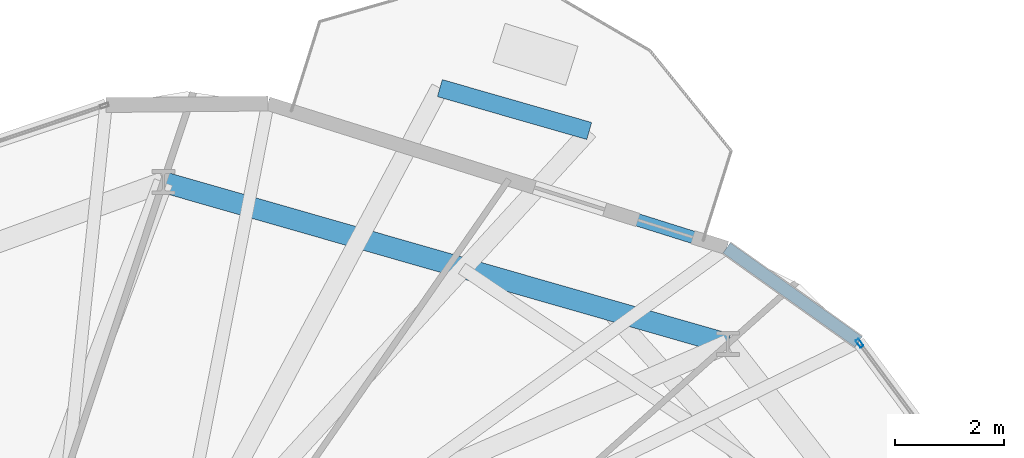
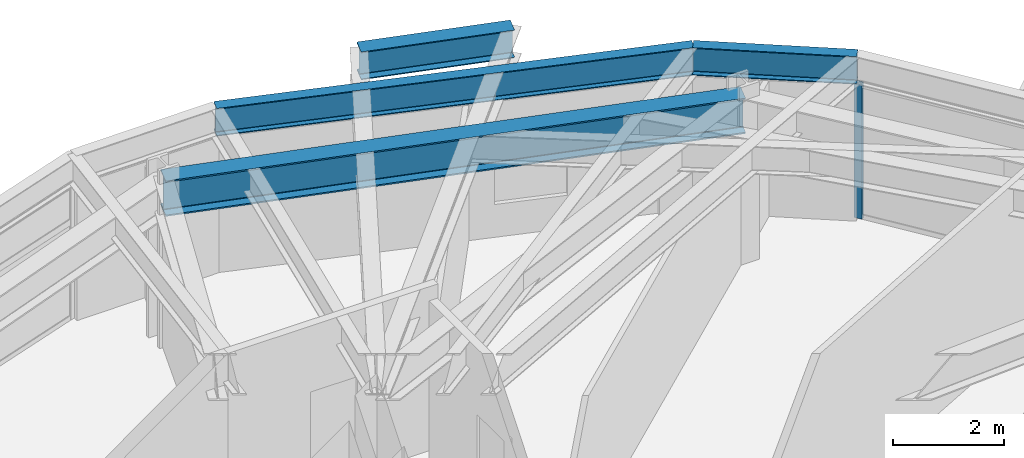
# One storey, part 19 of 27: 4 beams, 1 member, 1 element without a shape of its own.
"""IFC4 building model written with IfcOpenShell, lengths in metres."""

import ifcopenshell
import ifcopenshell.guid

model = None  # the IFC model being written
_history = None  # IfcOwnerHistory: only IFC2X3 demands one
_inside = {}  # id of a spatial element -> (the spatial element, [elements in it])
_under = {}  # id of a project, library or spatial element -> (it, [spatial elements below it])
_declared = {}  # id of a project -> (the project, [libraries it declares])
_typed = {}  # id of a type object -> (the type object, [elements of that type])
_made_of = {}  # id of a material, layer set ... -> (it, [elements and type objects made of it])


def new_model(schema):
    """Start an empty IFC model of exactly this schema.

    Asked for "IFC4X3", IfcOpenShell would pick the latest addendum, in which some entities
    have other attributes; the version numbers below select the first issue.
    IFC2X3 requires an IfcOwnerHistory on every rooted entity: one is made here for all.
    """
    global model, _history
    if schema == "IFC4X3":
        model = ifcopenshell.file(schema_version=(4, 3, 0, 0))
    else:
        model = ifcopenshell.file(schema=schema)
    _inside.clear()
    _under.clear()
    _declared.clear()
    _typed.clear()
    _made_of.clear()
    _history = None
    if model.schema == "IFC2X3":
        org = make("IfcOrganization", Name="unknown")
        user = make(
            "IfcPersonAndOrganization",
            ThePerson=make("IfcPerson", FamilyName="unknown"),
            TheOrganization=org,
        )
        app = make(
            "IfcApplication",
            ApplicationDeveloper=org,
            Version="unknown",
            ApplicationFullName="unknown",
            ApplicationIdentifier="unknown",
        )
        _history = make(
            "IfcOwnerHistory",
            OwningUser=user,
            OwningApplication=app,
            ChangeAction="ADDED",
            CreationDate=0,
        )
    return model


def make(cls, **values):
    """One entity of the class cls with the attributes given. An attribute that is None is left unset."""
    return model.create_entity(
        cls, **{name: value for name, value in values.items() if value is not None}
    )


def rooted(cls, **values):
    """An entity with a GlobalId (a new one), such as an element, a storey or a relation."""
    return make(cls, GlobalId=ifcopenshell.guid.new(), OwnerHistory=_history, **values)


def si_unit(unit_type, name, prefix=None):
    """IfcSIUnit, for example si_unit("LENGTHUNIT", "METRE", prefix="MILLI")."""
    return make("IfcSIUnit", UnitType=unit_type, Prefix=prefix, Name=name)


def assignment(units):
    """IfcUnitAssignment: the units of a project."""
    return None if units is None else make("IfcUnitAssignment", Units=units)


def point(xyz):
    """IfcCartesianPoint."""
    return None if xyz is None else make("IfcCartesianPoint", Coordinates=xyz)


def direction(xyz):
    """IfcDirection."""
    return None if xyz is None else make("IfcDirection", DirectionRatios=xyz)


def frame(location, z_axis=None, x_axis=None):
    """IfcAxis2Placement3D, a coordinate frame: its origin and axes. An axis left out is left unset."""
    return make(
        "IfcAxis2Placement3D",
        Location=point(location),
        Axis=direction(z_axis),
        RefDirection=direction(x_axis),
    )


def frame_2d(location, x_axis=None):
    """IfcAxis2Placement2D, a coordinate frame in the plane: its origin and x axis."""
    return make(
        "IfcAxis2Placement2D", Location=point(location), RefDirection=direction(x_axis)
    )


def origin():
    """The frame at (0, 0, 0) with its axes left unset."""
    return frame((0.0, 0.0, 0.0))


def origin_2d():
    """The frame at (0, 0) in the plane with its x axis left unset."""
    return frame_2d((0.0, 0.0))


def place(relative_to, where):
    """IfcLocalPlacement: puts the frame where relative to a parent placement (None: the world)."""
    return make(
        "IfcLocalPlacement", PlacementRelTo=relative_to, RelativePlacement=where
    )


def context(
    kind, dimensions, precision=None, world=None, true_north=None, identifier=None
):
    """IfcGeometricRepresentationContext, for example the 3D "Model" context."""
    return make(
        "IfcGeometricRepresentationContext",
        ContextIdentifier=identifier,
        ContextType=kind,
        CoordinateSpaceDimension=dimensions,
        Precision=precision,
        WorldCoordinateSystem=world,
        TrueNorth=true_north,
    )


def subcontext(parent, identifier, kind, view, scale=None):
    """IfcGeometricRepresentationSubContext, for example "Body" below "Model"."""
    return make(
        "IfcGeometricRepresentationSubContext",
        ContextIdentifier=identifier,
        ContextType=kind,
        ParentContext=parent,
        TargetScale=scale,
        TargetView=view,
    )


def project(units=None, contexts=None):
    """IfcProject with its units and contexts."""
    return rooted(
        "IfcProject",
        Name="project",
        RepresentationContexts=contexts,
        UnitsInContext=assignment(units),
    )


def spatial(cls, under=None, at=None, **own):
    """A site, building, storey or space (cls), placed at a placement, below another one or the project."""
    s = rooted(cls, ObjectPlacement=at, **own)
    if under is not None:
        _under.setdefault(under.id(), (under, []))[1].append(s)
    return s


def profile(cls, at=None, kind="AREA", **sizes):
    """A parametric profile (cls). Its sizes go by their IFC names, for example OverallWidth=200.0."""
    return make(cls, ProfileType=kind, Position=at, **sizes)


def hollow_rectangle(**sizes):
    """IfcRectangleHollowProfileDef."""
    return profile("IfcRectangleHollowProfileDef", **sizes)


def i_section(**sizes):
    """IfcIShapeProfileDef."""
    return profile("IfcIShapeProfileDef", **sizes)


def extrude(swept, where, along, depth):
    """IfcExtrudedAreaSolid: the profile swept, set in the frame where, extruded along a direction by depth."""
    return make(
        "IfcExtrudedAreaSolid",
        SweptArea=swept,
        Position=where,
        ExtrudedDirection=direction(along),
        Depth=depth,
    )


def shape(context_of_items, identifier, shape_type, items):
    """IfcShapeRepresentation: the items that make up one representation, for example the "Body"."""
    return make(
        "IfcShapeRepresentation",
        ContextOfItems=context_of_items,
        RepresentationIdentifier=identifier,
        RepresentationType=shape_type,
        Items=items,
    )


def material(Name=None, Category=None):
    """IfcMaterial."""
    return make("IfcMaterial", Name=Name, Category=Category)


def layer(
    of_material, thickness, ventilated=None, Name=None, Category=None, Priority=None
):
    """IfcMaterialLayer: one layer of a wall or slab, of a material (None: an air gap)."""
    return make(
        "IfcMaterialLayer",
        Material=of_material,
        LayerThickness=thickness,
        IsVentilated=ventilated,
        Name=Name,
        Category=Category,
        Priority=Priority,
    )


def layer_set(layers, Name=None):
    """IfcMaterialLayerSet."""
    return make("IfcMaterialLayerSet", MaterialLayers=layers, LayerSetName=Name)


def material_profile(
    of_material, cross_section, Name=None, Category=None, Priority=None
):
    """IfcMaterialProfile: a cross section and its material."""
    return make(
        "IfcMaterialProfile",
        Name=Name,
        Material=of_material,
        Profile=cross_section,
        Priority=Priority,
        Category=Category,
    )


def profile_set(profiles, Name=None, composite=None):
    """IfcMaterialProfileSet."""
    return make(
        "IfcMaterialProfileSet",
        Name=Name,
        MaterialProfiles=profiles,
        CompositeProfile=composite,
    )


def made_of(thing, what):
    """Note that an element or type object is made of a material, layer set ...; save() writes the relation."""
    if what is not None:
        _made_of.setdefault(what.id(), (what, []))[1].append(thing)
    return thing


def type_object(cls, material=None, **own):
    """A type object (cls), such as IfcWallType, which elements share."""
    return made_of(rooted(cls, **own), material)


def element(
    cls,
    number,
    at=None,
    inside=None,
    cuts=None,
    type_object=None,
    material=None,
    context=None,
    identifier="Body",
    shape_type=None,
    held_by="IfcProductDefinitionShape",
    body=None,
    shapes=None,
    **own,
):
    """One element of the class cls, such as IfcWall. Its Tag is "e" and its number.

    at: its placement. inside: the storey or other place that contains it. cuts: it is an
    opening in that element (IfcRelVoidsElement). A single representation is given by context,
    identifier, shape_type and body (its items); several are given by shapes. held_by: the class
    of the entity that holds the representations. save() writes the other relations.
    """
    e = rooted(cls, Tag="e%d" % number, ObjectPlacement=at, **own)
    if body is not None:
        shapes = [shape(context, identifier, shape_type, body)]
    if shapes is not None:
        e.Representation = make(held_by, Representations=shapes)
    if inside is not None:
        _inside.setdefault(inside.id(), (inside, []))[1].append(e)
    if cuts is not None:
        rooted(
            "IfcRelVoidsElement", RelatingBuildingElement=cuts, RelatedOpeningElement=e
        )
    if type_object is not None:
        _typed.setdefault(type_object.id(), (type_object, []))[1].append(e)
    return made_of(e, material)


def aggregate(whole, parts):
    """IfcRelAggregates: a whole, such as a stair, and the parts it consists of."""
    return rooted("IfcRelAggregates", RelatingObject=whole, RelatedObjects=parts)


def save(model, path):
    """Write the relations noted so far, then the file.

    IfcRelAggregates (storeys below a building ...), IfcRelContainedInSpatialStructure (elements
    in a storey), IfcRelDefinesByType, IfcRelAssociatesMaterial and IfcRelDeclares: one each for
    every whole, place, type object, material and project.
    """
    for whole, parts in _under.values():
        aggregate(whole, parts)
    for where, things in _inside.values():
        rooted(
            "IfcRelContainedInSpatialStructure",
            RelatedElements=things,
            RelatingStructure=where,
        )
    for kind, things in _typed.values():
        rooted("IfcRelDefinesByType", RelatedObjects=things, RelatingType=kind)
    for what, things in _made_of.values():
        rooted("IfcRelAssociatesMaterial", RelatedObjects=things, RelatingMaterial=what)
    for by, libraries in _declared.values():
        rooted("IfcRelDeclares", RelatingContext=by, RelatedDefinitions=libraries)
    model.write(path)


model = new_model("IFC4")

# Units and contexts
model_context = context("Model", 3, precision=1e-05, world=origin(), true_north=direction((0.0, 1.0)))
body_context = subcontext(model_context, "Body", "Model", "MODEL_VIEW")
ifc_project = project(units=[si_unit("LENGTHUNIT", "METRE"), si_unit("AREAUNIT", "SQUARE_METRE"), si_unit("VOLUMEUNIT", "CUBIC_METRE"), si_unit("PLANEANGLEUNIT", "RADIAN"), si_unit("MASSUNIT", "GRAM", prefix="KILO")], contexts=[model_context])

# Site, building, storey
site_placement = place(None, origin())
site = spatial("IfcSite", under=ifc_project, at=site_placement, CompositionType="ELEMENT")
building_placement = place(site_placement, origin())
building = spatial("IfcBuilding", under=site, at=building_placement, Name="Soratama Intermodal Tower", CompositionType="ELEMENT")
storey_placement = place(building_placement, frame((0.0, 0.0, 103.0)))
storey = spatial("IfcBuildingStorey", under=building, at=storey_placement, Name="L24", CompositionType="ELEMENT", Elevation=103.0)

# Beams
ifc_material_1 = material(Name="Structural steel ASTM A992 Grade 50", Category="steel")
ifc_material_profile_1 = material_profile(ifc_material_1, i_section(OverallWidth=0.324951171875, OverallDepth=0.615966796875, WebThickness=0.013916015625, FlangeThickness=0.021484375, FilletRadius=0.013916015625, at=origin_2d()), Name="W24X117")
ifc_profile_set_1 = profile_set([ifc_material_profile_1], Name="Structural steel ASTM A992 Grade 50")
beam_type_1 = type_object("IfcBeamType", Name="BM-CANT-W24X117", PredefinedType="BEAM", material=ifc_profile_set_1)
beam_1_placement = place(storey_placement, frame((52.19091796875, 43.325927734375, 3.2919921875), z_axis=(-0.961199599338, 0.275853820406, 0.0), x_axis=(-0.275853820406, -0.961199599338, 0.0)))
element("IfcBeam", 1, at=beam_1_placement, inside=storey, type_object=beam_type_1, Name="BM-L24-CBHDR-2", PredefinedType="BEAM", context=body_context, shape_type="SweptSolid", body=[
    extrude(i_section(OverallWidth=0.324951171875, OverallDepth=0.615966796875, WebThickness=0.013916015625, FlangeThickness=0.021484375, FilletRadius=0.013916015625, at=origin_2d()), origin(), (0.0, 0.0, 1.0), 2.84619140625),
])
ifc_material_2 = material(Name="Structural steel ASTM A992 Grade 50", Category="steel")
ifc_material_profile_2 = material_profile(ifc_material_2, i_section(OverallWidth=0.382080078125, OverallDepth=0.779052734375, WebThickness=0.01806640625, FlangeThickness=0.030029296875, FilletRadius=0.01806640625, at=origin_2d()), Name="W30X191")
ifc_profile_set_2 = profile_set([ifc_material_profile_2], Name="Structural steel ASTM A992 Grade 50")
beam_type_2 = type_object("IfcBeamType", Name="BM-RING-W30X191", PredefinedType="BEAM", material=ifc_profile_set_2)
beam_2_placement = place(storey_placement, frame((54.72998046875, 39.425048828125, 3.21044921875), z_axis=(-0.961266505995, 0.275620580604, 0.0), x_axis=(-0.275620580604, -0.961266505995, 0.0)))
element("IfcBeam", 2, at=beam_2_placement, inside=storey, type_object=beam_type_2, Name="BM-L24-RING-02", PredefinedType="BEAM", context=body_context, shape_type="SweptSolid", body=[
    extrude(i_section(OverallWidth=0.382080078125, OverallDepth=0.779052734375, WebThickness=0.01806640625, FlangeThickness=0.030029296875, FilletRadius=0.01806640625, at=origin_2d()), origin(), (0.0, 0.0, 1.0), 10.75341796875),
])
ifc_material_3 = material(Name="Structural steel ASTM A992 Grade 50", Category="steel")
ifc_material_profile_3 = material_profile(ifc_material_3, i_section(OverallWidth=0.22900390625, OverallDepth=0.612060546875, WebThickness=0.011962890625, FlangeThickness=0.01953125, FilletRadius=0.012939453125, at=origin_2d()), Name="W24X84")
ifc_profile_set_3 = profile_set([ifc_material_profile_3], Name="Structural steel ASTM A992 Grade 50")
beam_type_3 = type_object("IfcBeamType", Name="BM-SPN-W24X84", PredefinedType="SPANDREL", material=ifc_profile_set_3)
beam_3_placement = place(storey_placement, frame((57.123046875, 39.464111328125, 3.2939453125), z_axis=(-0.814494653596, 0.580171060347, 0.0), x_axis=(-0.580171060347, -0.814494653596, 0.0)))
element("IfcBeam", 3, at=beam_3_placement, inside=storey, type_object=beam_type_3, Name="BS-L24-CRN01", PredefinedType="SPANDREL", context=body_context, shape_type="SweptSolid", body=[
    extrude(i_section(OverallWidth=0.22900390625, OverallDepth=0.612060546875, WebThickness=0.011962890625, FlangeThickness=0.01953125, FilletRadius=0.012939453125, at=origin_2d()), origin(), (0.0, 0.0, 1.0), 2.96630859375),
])
beam_4_placement = place(storey_placement, frame((54.70703125, 41.18505859375, 3.2939453125), z_axis=(-0.953913484951, 0.300081760908, 0.0), x_axis=(-0.300081760908, -0.953913484951, 0.0)))
element("IfcBeam", 4, at=beam_4_placement, inside=storey, type_object=beam_type_3, Name="BS-L24-F02", PredefinedType="SPANDREL", context=body_context, shape_type="SweptSolid", body=[
    extrude(i_section(OverallWidth=0.22900390625, OverallDepth=0.612060546875, WebThickness=0.011962890625, FlangeThickness=0.01953125, FilletRadius=0.012939453125, at=origin_2d()), origin(), (0.0, 0.0, 1.0), 8.80712890625),
])

# Curtain wall, member
ifc_material_4 = material(Name="Double-glazed aluminium curtain wall", Category="aluminium")
ifc_layer = layer(ifc_material_4, 0.159912109375)
ifc_layer_set = layer_set([ifc_layer], Name="Double-glazed aluminium curtain wall")
curtain_wall_type = type_object("IfcCurtainWallType", Name="CW-SYS-3", PredefinedType="NOTDEFINED", material=ifc_layer_set)
curtain_wall_placement = place(storey_placement, origin())
curtain_wall = element("IfcCurtainWall", 5, at=curtain_wall_placement, inside=storey, type_object=curtain_wall_type, Name="L24 Faceted Curtain Wall F01", PredefinedType="NOTDEFINED")
ifc_material_5 = material(Name="Anodised aluminium AA 6063-T6", Category="aluminium")
ifc_material_profile_4 = material_profile(ifc_material_5, hollow_rectangle(XDim=0.070068359375, YDim=0.159912109375, WallThickness=0.0048828125, InnerFilletRadius=0.0048828125, OuterFilletRadius=0.010009765625, at=origin_2d()), Name="CWM160X70X5")
ifc_profile_set_4 = profile_set([ifc_material_profile_4], Name="Anodised aluminium AA 6063-T6")
member_type = type_object("IfcMemberType", Name="MT-CWM-3", PredefinedType="MULLION", material=ifc_profile_set_4)
member_placement = place(storey_placement, frame((57.140869140625, 39.440185546875, 0.0), z_axis=(0.0, 0.0, 1.0), x_axis=(-0.803442319761, -0.595382598685, 0.0)))
member = element("IfcMember", 6, at=member_placement, type_object=member_type, Name="CW-3 mullion 3", PredefinedType="MULLION", context=body_context, shape_type="SweptSolid", body=[
    extrude(hollow_rectangle(XDim=0.070068359375, YDim=0.159912109375, WallThickness=0.0048828125, InnerFilletRadius=0.0048828125, OuterFilletRadius=0.010009765625, at=origin_2d()), origin(), (0.0, 0.0, 1.0), 2.97900390625),
])
aggregate(curtain_wall, [member])

save(model, "model.ifc")
